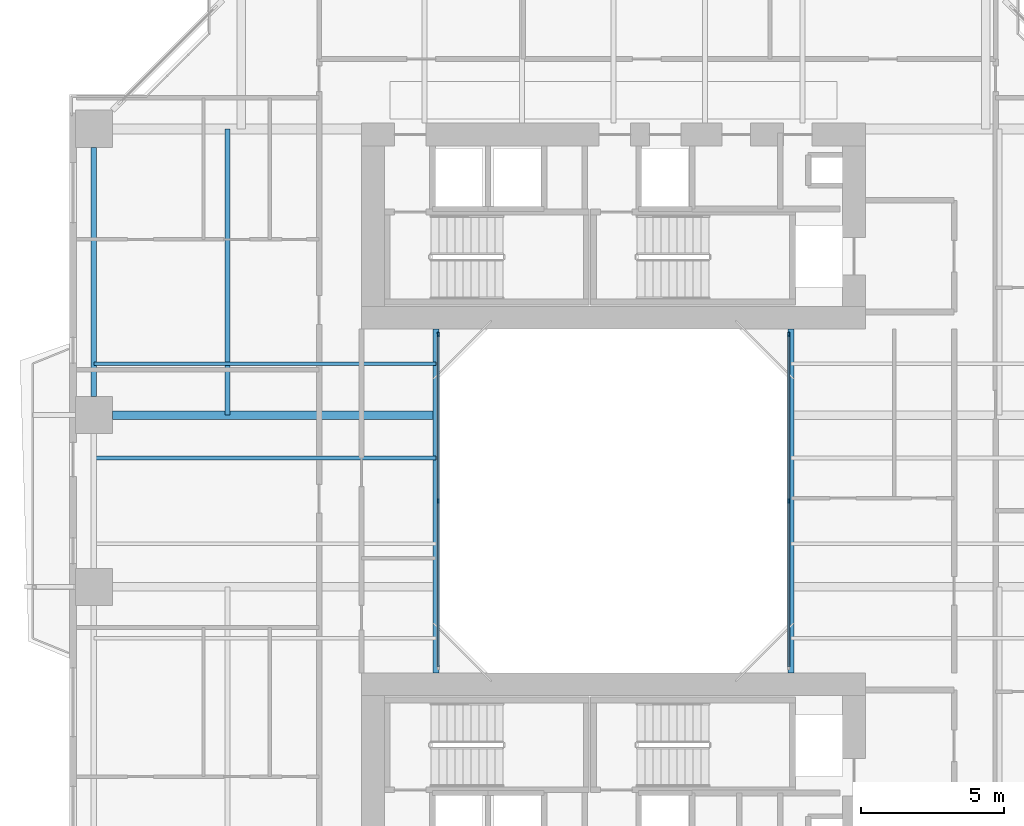
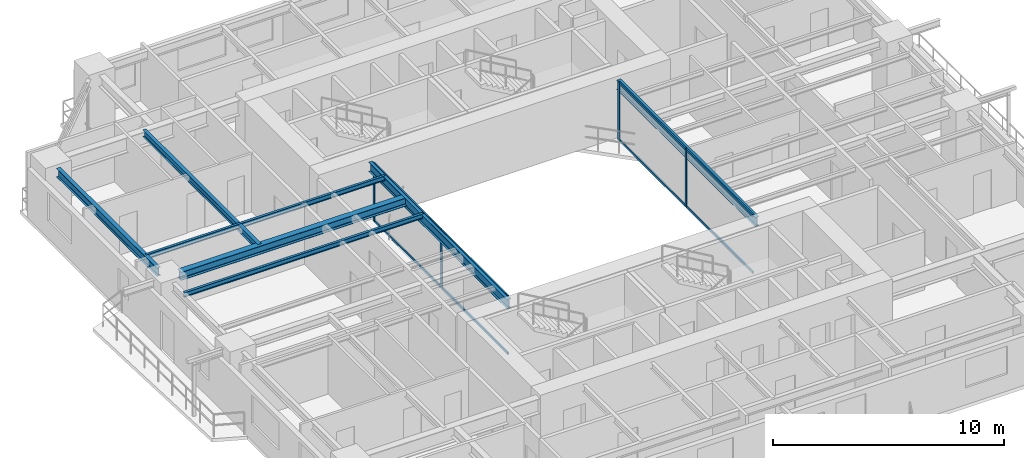
# One storey, part 4 of 23: 12 members, 7 beams, 2 elements without a shape of their own.
"""IFC4 building model written with IfcOpenShell, lengths in metres."""

import ifcopenshell
import ifcopenshell.guid

model = None  # the IFC model being written
_history = None  # IfcOwnerHistory: only IFC2X3 demands one
_inside = {}  # id of a spatial element -> (the spatial element, [elements in it])
_under = {}  # id of a project, library or spatial element -> (it, [spatial elements below it])
_declared = {}  # id of a project -> (the project, [libraries it declares])
_typed = {}  # id of a type object -> (the type object, [elements of that type])
_made_of = {}  # id of a material, layer set ... -> (it, [elements and type objects made of it])


def new_model(schema):
    """Start an empty IFC model of exactly this schema.

    Asked for "IFC4X3", IfcOpenShell would pick the latest addendum, in which some entities
    have other attributes; the version numbers below select the first issue.
    IFC2X3 requires an IfcOwnerHistory on every rooted entity: one is made here for all.
    """
    global model, _history
    if schema == "IFC4X3":
        model = ifcopenshell.file(schema_version=(4, 3, 0, 0))
    else:
        model = ifcopenshell.file(schema=schema)
    _inside.clear()
    _under.clear()
    _declared.clear()
    _typed.clear()
    _made_of.clear()
    _history = None
    if model.schema == "IFC2X3":
        org = make("IfcOrganization", Name="unknown")
        user = make(
            "IfcPersonAndOrganization",
            ThePerson=make("IfcPerson", FamilyName="unknown"),
            TheOrganization=org,
        )
        app = make(
            "IfcApplication",
            ApplicationDeveloper=org,
            Version="unknown",
            ApplicationFullName="unknown",
            ApplicationIdentifier="unknown",
        )
        _history = make(
            "IfcOwnerHistory",
            OwningUser=user,
            OwningApplication=app,
            ChangeAction="ADDED",
            CreationDate=0,
        )
    return model


def make(cls, **values):
    """One entity of the class cls with the attributes given. An attribute that is None is left unset."""
    return model.create_entity(
        cls, **{name: value for name, value in values.items() if value is not None}
    )


def rooted(cls, **values):
    """An entity with a GlobalId (a new one), such as an element, a storey or a relation."""
    return make(cls, GlobalId=ifcopenshell.guid.new(), OwnerHistory=_history, **values)


def si_unit(unit_type, name, prefix=None):
    """IfcSIUnit, for example si_unit("LENGTHUNIT", "METRE", prefix="MILLI")."""
    return make("IfcSIUnit", UnitType=unit_type, Prefix=prefix, Name=name)


def assignment(units):
    """IfcUnitAssignment: the units of a project."""
    return None if units is None else make("IfcUnitAssignment", Units=units)


def point(xyz):
    """IfcCartesianPoint."""
    return None if xyz is None else make("IfcCartesianPoint", Coordinates=xyz)


def direction(xyz):
    """IfcDirection."""
    return None if xyz is None else make("IfcDirection", DirectionRatios=xyz)


def frame(location, z_axis=None, x_axis=None):
    """IfcAxis2Placement3D, a coordinate frame: its origin and axes. An axis left out is left unset."""
    return make(
        "IfcAxis2Placement3D",
        Location=point(location),
        Axis=direction(z_axis),
        RefDirection=direction(x_axis),
    )


def frame_2d(location, x_axis=None):
    """IfcAxis2Placement2D, a coordinate frame in the plane: its origin and x axis."""
    return make(
        "IfcAxis2Placement2D", Location=point(location), RefDirection=direction(x_axis)
    )


def origin():
    """The frame at (0, 0, 0) with its axes left unset."""
    return frame((0.0, 0.0, 0.0))


def origin_2d():
    """The frame at (0, 0) in the plane with its x axis left unset."""
    return frame_2d((0.0, 0.0))


def place(relative_to, where):
    """IfcLocalPlacement: puts the frame where relative to a parent placement (None: the world)."""
    return make(
        "IfcLocalPlacement", PlacementRelTo=relative_to, RelativePlacement=where
    )


def context(
    kind, dimensions, precision=None, world=None, true_north=None, identifier=None
):
    """IfcGeometricRepresentationContext, for example the 3D "Model" context."""
    return make(
        "IfcGeometricRepresentationContext",
        ContextIdentifier=identifier,
        ContextType=kind,
        CoordinateSpaceDimension=dimensions,
        Precision=precision,
        WorldCoordinateSystem=world,
        TrueNorth=true_north,
    )


def subcontext(parent, identifier, kind, view, scale=None):
    """IfcGeometricRepresentationSubContext, for example "Body" below "Model"."""
    return make(
        "IfcGeometricRepresentationSubContext",
        ContextIdentifier=identifier,
        ContextType=kind,
        ParentContext=parent,
        TargetScale=scale,
        TargetView=view,
    )


def project(units=None, contexts=None):
    """IfcProject with its units and contexts."""
    return rooted(
        "IfcProject",
        Name="project",
        RepresentationContexts=contexts,
        UnitsInContext=assignment(units),
    )


def spatial(cls, under=None, at=None, **own):
    """A site, building, storey or space (cls), placed at a placement, below another one or the project."""
    s = rooted(cls, ObjectPlacement=at, **own)
    if under is not None:
        _under.setdefault(under.id(), (under, []))[1].append(s)
    return s


def profile(cls, at=None, kind="AREA", **sizes):
    """A parametric profile (cls). Its sizes go by their IFC names, for example OverallWidth=200.0."""
    return make(cls, ProfileType=kind, Position=at, **sizes)


def rectangle(**sizes):
    """IfcRectangleProfileDef."""
    return profile("IfcRectangleProfileDef", **sizes)


def i_section(**sizes):
    """IfcIShapeProfileDef."""
    return profile("IfcIShapeProfileDef", **sizes)


def extrude(swept, where, along, depth):
    """IfcExtrudedAreaSolid: the profile swept, set in the frame where, extruded along a direction by depth."""
    return make(
        "IfcExtrudedAreaSolid",
        SweptArea=swept,
        Position=where,
        ExtrudedDirection=direction(along),
        Depth=depth,
    )


def shape(context_of_items, identifier, shape_type, items):
    """IfcShapeRepresentation: the items that make up one representation, for example the "Body"."""
    return make(
        "IfcShapeRepresentation",
        ContextOfItems=context_of_items,
        RepresentationIdentifier=identifier,
        RepresentationType=shape_type,
        Items=items,
    )


def source(mapping_origin, context_of_items, identifier, shape_type, items):
    """IfcRepresentationMap: a shape defined once, which mapped items show again and again."""
    return make(
        "IfcRepresentationMap",
        MappingOrigin=mapping_origin,
        MappedRepresentation=shape(context_of_items, identifier, shape_type, items),
    )


def transform(
    local_origin,
    x_axis=None,
    y_axis=None,
    z_axis=None,
    scale=None,
    scale2=None,
    scale3=None,
    uniform=True,
):
    """IfcCartesianTransformationOperator3D, or its non-uniform kind. x_axis, y_axis, z_axis: its Axis1, 2, 3."""
    if uniform:
        return make(
            "IfcCartesianTransformationOperator3D",
            Axis1=direction(x_axis),
            Axis2=direction(y_axis),
            LocalOrigin=point(local_origin),
            Scale=scale,
            Axis3=direction(z_axis),
        )
    return make(
        "IfcCartesianTransformationOperator3DnonUniform",
        Axis1=direction(x_axis),
        Axis2=direction(y_axis),
        LocalOrigin=point(local_origin),
        Scale=scale,
        Axis3=direction(z_axis),
        Scale2=scale2,
        Scale3=scale3,
    )


def mapped(mapping_source, mapping_target):
    """IfcMappedItem: shows the shape of a source again, moved by a transform."""
    return make(
        "IfcMappedItem", MappingSource=mapping_source, MappingTarget=mapping_target
    )


def material(Name=None, Category=None):
    """IfcMaterial."""
    return make("IfcMaterial", Name=Name, Category=Category)


def layer(
    of_material, thickness, ventilated=None, Name=None, Category=None, Priority=None
):
    """IfcMaterialLayer: one layer of a wall or slab, of a material (None: an air gap)."""
    return make(
        "IfcMaterialLayer",
        Material=of_material,
        LayerThickness=thickness,
        IsVentilated=ventilated,
        Name=Name,
        Category=Category,
        Priority=Priority,
    )


def layer_set(layers, Name=None):
    """IfcMaterialLayerSet."""
    return make("IfcMaterialLayerSet", MaterialLayers=layers, LayerSetName=Name)


def material_profile(
    of_material, cross_section, Name=None, Category=None, Priority=None
):
    """IfcMaterialProfile: a cross section and its material."""
    return make(
        "IfcMaterialProfile",
        Name=Name,
        Material=of_material,
        Profile=cross_section,
        Priority=Priority,
        Category=Category,
    )


def profile_set(profiles, Name=None, composite=None):
    """IfcMaterialProfileSet."""
    return make(
        "IfcMaterialProfileSet",
        Name=Name,
        MaterialProfiles=profiles,
        CompositeProfile=composite,
    )


def made_of(thing, what):
    """Note that an element or type object is made of a material, layer set ...; save() writes the relation."""
    if what is not None:
        _made_of.setdefault(what.id(), (what, []))[1].append(thing)
    return thing


def type_object(cls, material=None, **own):
    """A type object (cls), such as IfcWallType, which elements share."""
    return made_of(rooted(cls, **own), material)


def element(
    cls,
    number,
    at=None,
    inside=None,
    cuts=None,
    type_object=None,
    material=None,
    context=None,
    identifier="Body",
    shape_type=None,
    held_by="IfcProductDefinitionShape",
    body=None,
    shapes=None,
    **own,
):
    """One element of the class cls, such as IfcWall. Its Tag is "e" and its number.

    at: its placement. inside: the storey or other place that contains it. cuts: it is an
    opening in that element (IfcRelVoidsElement). A single representation is given by context,
    identifier, shape_type and body (its items); several are given by shapes. held_by: the class
    of the entity that holds the representations. save() writes the other relations.
    """
    e = rooted(cls, Tag="e%d" % number, ObjectPlacement=at, **own)
    if body is not None:
        shapes = [shape(context, identifier, shape_type, body)]
    if shapes is not None:
        e.Representation = make(held_by, Representations=shapes)
    if inside is not None:
        _inside.setdefault(inside.id(), (inside, []))[1].append(e)
    if cuts is not None:
        rooted(
            "IfcRelVoidsElement", RelatingBuildingElement=cuts, RelatedOpeningElement=e
        )
    if type_object is not None:
        _typed.setdefault(type_object.id(), (type_object, []))[1].append(e)
    return made_of(e, material)


def aggregate(whole, parts):
    """IfcRelAggregates: a whole, such as a stair, and the parts it consists of."""
    return rooted("IfcRelAggregates", RelatingObject=whole, RelatedObjects=parts)


def save(model, path):
    """Write the relations noted so far, then the file.

    IfcRelAggregates (storeys below a building ...), IfcRelContainedInSpatialStructure (elements
    in a storey), IfcRelDefinesByType, IfcRelAssociatesMaterial and IfcRelDeclares: one each for
    every whole, place, type object, material and project.
    """
    for whole, parts in _under.values():
        aggregate(whole, parts)
    for where, things in _inside.values():
        rooted(
            "IfcRelContainedInSpatialStructure",
            RelatedElements=things,
            RelatingStructure=where,
        )
    for kind, things in _typed.values():
        rooted("IfcRelDefinesByType", RelatedObjects=things, RelatingType=kind)
    for what, things in _made_of.values():
        rooted("IfcRelAssociatesMaterial", RelatedObjects=things, RelatingMaterial=what)
    for by, libraries in _declared.values():
        rooted("IfcRelDeclares", RelatingContext=by, RelatedDefinitions=libraries)
    model.write(path)


model = new_model("IFC4")

# Units and contexts
model_context = context("Model", 3, precision=1e-05, world=origin(), true_north=direction((0.0, 1.0)))
body_context = subcontext(model_context, "Body", "Model", "MODEL_VIEW")
ifc_project = project(units=[si_unit("LENGTHUNIT", "METRE"), si_unit("AREAUNIT", "SQUARE_METRE"), si_unit("VOLUMEUNIT", "CUBIC_METRE"), si_unit("PLANEANGLEUNIT", "RADIAN"), si_unit("MASSUNIT", "GRAM", prefix="KILO"), si_unit("THERMODYNAMICTEMPERATUREUNIT", "KELVIN"), si_unit("POWERUNIT", "WATT")], contexts=[model_context])

# Site, building, storey
site_placement = place(None, origin())
site = spatial("IfcSite", under=ifc_project, at=site_placement, CompositionType="ELEMENT")
building_placement = place(site_placement, origin())
building = spatial("IfcBuilding", under=site, at=building_placement, Name="Qiaomeng Ring Towers", CompositionType="ELEMENT")
storey_placement = place(building_placement, frame((0.0, 0.0, 86.0)))
storey = spatial("IfcBuildingStorey", under=building, at=storey_placement, Name="L24", CompositionType="ELEMENT", Elevation=86.0)

# Beams
ifc_material_1 = material(Name="Steel Q355B", Category="steel")
ifc_material_profile_1 = material_profile(ifc_material_1, i_section(OverallWidth=0.199951171875, OverallDepth=0.5, WebThickness=0.010009765625, FlangeThickness=0.01611328125, FilletRadius=0.02001953125, at=origin_2d()), Name="HN 500x200x10x16")
ifc_profile_set_1 = profile_set([ifc_material_profile_1], Name="Steel Q355B")
beam_type_1 = type_object("IfcBeamType", Name="STR-BM-HN500", PredefinedType="BEAM", material=ifc_profile_set_1)
shared_shape_1 = source(origin(), body_context, "Body", "SweptSolid", [
    extrude(i_section(OverallWidth=0.199951171875, OverallDepth=0.5, WebThickness=0.010009765625, FlangeThickness=0.01611328125, FilletRadius=0.02001953125, at=origin_2d()), origin(), (0.0, 0.0, 1.0), 12.0),
])
for number, where, z_axis, x_axis, name in (
    (1, (12.800048828125, 17.0, 2.820068359375), (0.0, 1.0, 0.0), (-1.0, 0.0, 0.0), "L24 beam STR-BM-L24-WELL-W"),
    (2, (25.199951171875, 17.0, 2.820068359375), (0.0, 1.0, 0.0), (-1.0, 0.0, 0.0), "L24 beam STR-BM-L24-WELL-E"),
):
    element("IfcBeam", number, at=place(storey_placement, frame(where, z_axis=z_axis, x_axis=x_axis)), inside=storey, type_object=beam_type_1, Name=name, PredefinedType="BEAM", context=body_context, shape_type="MappedRepresentation", body=[
        mapped(shared_shape_1, transform((0.0, 0.0, 0.0), x_axis=(1.0, 0.0, 0.0), y_axis=(0.0, 1.0, 0.0), z_axis=(0.0, 0.0, 1.0), scale=1.0)),
    ])
ifc_material_profile_2 = material_profile(ifc_material_1, i_section(OverallWidth=0.199951171875, OverallDepth=0.449951171875, WebThickness=0.009033203125, FlangeThickness=0.013916015625, FilletRadius=0.01806640625, at=origin_2d()), Name="HN 450x200x9x14")
ifc_profile_set_2 = profile_set([ifc_material_profile_2], Name="Steel Q355B")
beam_type_2 = type_object("IfcBeamType", Name="STR-BM-HN450", PredefinedType="SPANDREL", material=ifc_profile_set_2)
shared_shape_2 = source(origin(), body_context, "Body", "SweptSolid", [
    extrude(i_section(OverallWidth=0.199951171875, OverallDepth=0.449951171875, WebThickness=0.009033203125, FlangeThickness=0.013916015625, FilletRadius=0.01806640625, at=origin_2d()), origin(), (0.0, 0.0, 1.0), 8.7021484375),
])
beam_1_placement = place(storey_placement, frame((0.85009765625, 35.35107421875, 2.844970703125), z_axis=(0.0, -1.0, 0.0), x_axis=(1.0, 0.0, 0.0)))
element("IfcBeam", 3, at=beam_1_placement, inside=storey, type_object=beam_type_2, Name="L24 beam STR-SP-L24-T1-W4-W3", PredefinedType="SPANDREL", context=body_context, shape_type="MappedRepresentation", body=[
    mapped(shared_shape_2, transform((0.0, 0.0, 0.0), x_axis=(1.0, 0.0, 0.0), y_axis=(0.0, 1.0, 0.0), z_axis=(0.0, 0.0, 1.0), scale=1.0)),
])
ifc_material_profile_3 = material_profile(ifc_material_1, i_section(OverallWidth=0.300048828125, OverallDepth=0.43994140625, WebThickness=0.010986328125, FlangeThickness=0.01806640625, FilletRadius=0.02392578125, at=origin_2d()), Name="HM 440x300x11x18")
ifc_profile_set_3 = profile_set([ifc_material_profile_3], Name="Steel Q355B")
beam_type_3 = type_object("IfcBeamType", Name="STR-BM-HM440", PredefinedType="BEAM", material=ifc_profile_set_3)
shared_shape_3 = source(origin(), body_context, "Body", "SweptSolid", [
    extrude(i_section(OverallWidth=0.300048828125, OverallDepth=0.43994140625, WebThickness=0.010986328125, FlangeThickness=0.01806640625, FilletRadius=0.02392578125, at=origin_2d()), origin(), (0.0, 0.0, 1.0), 11.301025390625),
])
beam_2_placement = place(storey_placement, frame((1.4990234375, 26.0, 2.85009765625), z_axis=(1.0, 0.0, 0.0), x_axis=(0.0, 1.0, 0.0)))
element("IfcBeam", 4, at=beam_2_placement, inside=storey, type_object=beam_type_3, Name="L24 beam STR-BM-L24-T1-RAD-W3", PredefinedType="BEAM", context=body_context, shape_type="MappedRepresentation", body=[
    mapped(shared_shape_3, transform((0.0, 0.0, 0.0), x_axis=(1.0, 0.0, 0.0), y_axis=(0.0, 1.0, 0.0), z_axis=(0.0, 0.0, 1.0), scale=1.0)),
])
ifc_material_profile_4 = material_profile(ifc_material_1, i_section(OverallWidth=0.125, OverallDepth=0.25, WebThickness=0.006103515625, FlangeThickness=0.009033203125, FilletRadius=0.011962890625, at=origin_2d()), Name="HN 250x125x6x9")
ifc_profile_set_4 = profile_set([ifc_material_profile_4], Name="Steel Q355B")
beam_type_4 = type_object("IfcBeamType", Name="STR-BM-HN250", PredefinedType="JOIST", material=ifc_profile_set_4)
shared_shape_4 = source(origin(), body_context, "Body", "SweptSolid", [
    extrude(i_section(OverallWidth=0.125, OverallDepth=0.25, WebThickness=0.006103515625, FlangeThickness=0.009033203125, FilletRadius=0.011962890625, at=origin_2d()), origin(), (0.0, 0.0, 1.0), 11.949951171875),
])
for number, where, z_axis, x_axis, name in (
    (5, (0.85009765625, 24.5, 2.945068359375), (1.0, 0.0, 0.0), (0.0, 1.0, 0.0), "L24 beam STR-JST-L24-T1W-3"),
    (6, (0.85009765625, 27.800048828125, 2.945068359375), (1.0, 0.0, 0.0), (0.0, 1.0, 0.0), "L24 beam STR-JST-L24-T1W-4"),
):
    element("IfcBeam", number, at=place(storey_placement, frame(where, z_axis=z_axis, x_axis=x_axis)), inside=storey, type_object=beam_type_4, Name=name, PredefinedType="JOIST", context=body_context, shape_type="MappedRepresentation", body=[
        mapped(shared_shape_4, transform((0.0, 0.0, 0.0), x_axis=(1.0, 0.0, 0.0), y_axis=(0.0, 1.0, 0.0), z_axis=(0.0, 0.0, 1.0), scale=1.0)),
    ])
ifc_material_profile_5 = material_profile(ifc_material_1, i_section(OverallWidth=0.175048828125, OverallDepth=0.35009765625, WebThickness=0.007080078125, FlangeThickness=0.010986328125, FilletRadius=0.013916015625, at=origin_2d()), Name="HN 350x175x7x11")
ifc_profile_set_5 = profile_set([ifc_material_profile_5], Name="Steel Q355B")
beam_type_5 = type_object("IfcBeamType", Name="STR-BM-HN350", PredefinedType="JOIST", material=ifc_profile_set_5)
shared_shape_5 = source(origin(), body_context, "Body", "SweptSolid", [
    extrude(i_section(OverallWidth=0.175048828125, OverallDepth=0.35009765625, WebThickness=0.007080078125, FlangeThickness=0.010986328125, FilletRadius=0.013916015625, at=origin_2d()), origin(), (0.0, 0.0, 1.0), 10.0),
])
beam_3_placement = place(storey_placement, frame((5.52490234375, 26.0, 2.89501953125), z_axis=(0.0, 1.0, 0.0), x_axis=(-1.0, 0.0, 0.0)))
element("IfcBeam", 7, at=beam_3_placement, inside=storey, type_object=beam_type_5, Name="L24 beam STR-JST-L24-T1C-WN", PredefinedType="JOIST", context=body_context, shape_type="MappedRepresentation", body=[
    mapped(shared_shape_5, transform((0.0, 0.0, 0.0), x_axis=(1.0, 0.0, 0.0), y_axis=(0.0, 1.0, 0.0), z_axis=(0.0, 0.0, 1.0), scale=1.0)),
])

# Curtain wall, members
ifc_material_2 = material(Name="Fluorocarbon dark-grey aluminium", Category="aluminium")
ifc_layer = layer(ifc_material_2, 0.139892578125, Name="Fluorocarbon dark-grey aluminium")
ifc_layer_set = layer_set([ifc_layer], Name="Fluorocarbon dark-grey aluminium")
curtain_wall_type = type_object("IfcCurtainWallType", Name="ARC-CW-4", PredefinedType="NOTDEFINED", material=ifc_layer_set)
curtain_wall_1_placement = place(storey_placement, origin())
curtain_wall_1 = element("IfcCurtainWall", 8, at=curtain_wall_1_placement, inside=storey, type_object=curtain_wall_type, Name="L24 Curtain Wall CW4", PredefinedType="NOTDEFINED")
ifc_material_profile_6 = material_profile(ifc_material_2, rectangle(XDim=0.06494140625, YDim=0.159912109375, at=origin_2d()), Name="ALU MULL 65x160")
ifc_profile_set_6 = profile_set([ifc_material_profile_6], Name="Fluorocarbon dark-grey aluminium")
member_type_1 = type_object("IfcMemberType", Name="ARC-CWM-140", PredefinedType="MULLION", material=ifc_profile_set_6)
shared_shape_6 = source(origin(), body_context, "Body", "SweptSolid", [
    extrude(rectangle(XDim=0.06494140625, YDim=0.159912109375, at=origin_2d()), origin(), (0.0, 0.0, 1.0), 3.070068359375),
])
member_1_placement = place(storey_placement, frame((12.8798828125, 23.0, 0.0), z_axis=(0.0, 0.0, 1.0), x_axis=(-1.0, 0.0, 0.0)))
member_1 = element("IfcMember", 9, at=member_1_placement, type_object=member_type_1, Name="CW4 mullion 2", PredefinedType="MULLION", context=body_context, shape_type="MappedRepresentation", body=[
    mapped(shared_shape_6, transform((0.0, 0.0, 0.0), x_axis=(1.0, 0.0, 0.0), y_axis=(0.0, 1.0, 0.0), z_axis=(0.0, 0.0, 1.0), scale=1.0)),
])
member_2_placement = place(storey_placement, frame((12.8798828125, 28.8173828125, 0.0), z_axis=(0.0, 0.0, 1.0), x_axis=(-1.0, 0.0, 0.0)))
member_2 = element("IfcMember", 10, at=member_2_placement, type_object=member_type_1, Name="CW4 mullion 3", PredefinedType="MULLION", context=body_context, shape_type="MappedRepresentation", body=[
    mapped(shared_shape_6, transform((0.0, 0.0, 0.0), x_axis=(1.0, 0.0, 0.0), y_axis=(0.0, 1.0, 0.0), z_axis=(0.0, 0.0, 1.0), scale=1.0)),
])

curtain_wall_2_placement = place(storey_placement, origin())
curtain_wall_2 = element("IfcCurtainWall", 11, at=curtain_wall_2_placement, inside=storey, type_object=curtain_wall_type, Name="L24 Curtain Wall CW4", PredefinedType="NOTDEFINED")
member_3_placement = place(storey_placement, frame((25.1201171875, 23.0, 0.0), z_axis=(0.0, 0.0, 1.0), x_axis=(-1.0, 0.0, 0.0)))
member_3 = element("IfcMember", 12, at=member_3_placement, type_object=member_type_1, Name="CW4 mullion 2", PredefinedType="MULLION", context=body_context, shape_type="MappedRepresentation", body=[
    mapped(shared_shape_6, transform((0.0, 0.0, 0.0), x_axis=(1.0, 0.0, 0.0), y_axis=(0.0, 1.0, 0.0), z_axis=(0.0, 0.0, 1.0), scale=1.0)),
])
member_4_placement = place(storey_placement, frame((25.1201171875, 28.8173828125, 0.0), z_axis=(0.0, 0.0, 1.0), x_axis=(-1.0, 0.0, 0.0)))
member_4 = element("IfcMember", 13, at=member_4_placement, type_object=member_type_1, Name="CW4 mullion 3", PredefinedType="MULLION", context=body_context, shape_type="MappedRepresentation", body=[
    mapped(shared_shape_6, transform((0.0, 0.0, 0.0), x_axis=(1.0, 0.0, 0.0), y_axis=(0.0, 1.0, 0.0), z_axis=(0.0, 0.0, 1.0), scale=1.0)),
])

# Member
ifc_material_profile_7 = material_profile(ifc_material_2, rectangle(XDim=0.06494140625, YDim=0.1298828125, at=origin_2d()), Name="ALU TRAN 65x130")
ifc_profile_set_7 = profile_set([ifc_material_profile_7], Name="Fluorocarbon dark-grey aluminium")
member_type_2 = type_object("IfcMemberType", Name="ARC-CWT-120", PredefinedType="USERDEFINED", material=ifc_profile_set_7)
shared_shape_7 = source(origin(), body_context, "Body", "SweptSolid", [
    extrude(rectangle(XDim=0.06494140625, YDim=0.1298828125, at=origin_2d()), origin(), (0.0, 0.0, 1.0), 5.75244140625),
])
member_5_placement = place(storey_placement, frame((12.8798828125, 17.215087890625, 0.032470703125), z_axis=(0.0, 1.0, 0.0), x_axis=(-1.0, 0.0, 0.0)))
member_5 = element("IfcMember", 14, at=member_5_placement, type_object=member_type_2, Name="CW4 transom 1.1", ObjectType="TRANSOM", PredefinedType="USERDEFINED", context=body_context, shape_type="MappedRepresentation", body=[
    mapped(shared_shape_7, transform((0.0, 0.0, 0.0), x_axis=(1.0, 0.0, 0.0), y_axis=(0.0, 1.0, 0.0), z_axis=(0.0, 0.0, 1.0), scale=1.0)),
])

member_6_placement = place(storey_placement, frame((12.8798828125, 17.215087890625, 3.03759765625), z_axis=(0.0, 1.0, 0.0), x_axis=(-1.0, 0.0, 0.0)))
member_6 = element("IfcMember", 15, at=member_6_placement, type_object=member_type_2, Name="CW4 transom 1.2", ObjectType="TRANSOM", PredefinedType="USERDEFINED", context=body_context, shape_type="MappedRepresentation", body=[
    mapped(shared_shape_7, transform((0.0, 0.0, 0.0), x_axis=(1.0, 0.0, 0.0), y_axis=(0.0, 1.0, 0.0), z_axis=(0.0, 0.0, 1.0), scale=1.0)),
])

member_7_placement = place(storey_placement, frame((12.8798828125, 23.032470703125, 0.032470703125), z_axis=(0.0, 1.0, 0.0), x_axis=(-1.0, 0.0, 0.0)))
member_7 = element("IfcMember", 16, at=member_7_placement, type_object=member_type_2, Name="CW4 transom 2.1", ObjectType="TRANSOM", PredefinedType="USERDEFINED", context=body_context, shape_type="MappedRepresentation", body=[
    mapped(shared_shape_7, transform((0.0, 0.0, 0.0), x_axis=(1.0, 0.0, 0.0), y_axis=(0.0, 1.0, 0.0), z_axis=(0.0, 0.0, 1.0), scale=1.0)),
])

member_8_placement = place(storey_placement, frame((12.8798828125, 23.032470703125, 3.03759765625), z_axis=(0.0, 1.0, 0.0), x_axis=(-1.0, 0.0, 0.0)))
member_8 = element("IfcMember", 17, at=member_8_placement, type_object=member_type_2, Name="CW4 transom 2.2", ObjectType="TRANSOM", PredefinedType="USERDEFINED", context=body_context, shape_type="MappedRepresentation", body=[
    mapped(shared_shape_7, transform((0.0, 0.0, 0.0), x_axis=(1.0, 0.0, 0.0), y_axis=(0.0, 1.0, 0.0), z_axis=(0.0, 0.0, 1.0), scale=1.0)),
])

aggregate(curtain_wall_1, [member_1, member_2, member_5, member_6, member_7, member_8])

member_9_placement = place(storey_placement, frame((25.1201171875, 17.215087890625, 0.032470703125), z_axis=(0.0, 1.0, 0.0), x_axis=(-1.0, 0.0, 0.0)))
member_9 = element("IfcMember", 18, at=member_9_placement, type_object=member_type_2, Name="CW4 transom 1.1", ObjectType="TRANSOM", PredefinedType="USERDEFINED", context=body_context, shape_type="MappedRepresentation", body=[
    mapped(shared_shape_7, transform((0.0, 0.0, 0.0), x_axis=(1.0, 0.0, 0.0), y_axis=(0.0, 1.0, 0.0), z_axis=(0.0, 0.0, 1.0), scale=1.0)),
])

member_10_placement = place(storey_placement, frame((25.1201171875, 17.215087890625, 3.03759765625), z_axis=(0.0, 1.0, 0.0), x_axis=(-1.0, 0.0, 0.0)))
member_10 = element("IfcMember", 19, at=member_10_placement, type_object=member_type_2, Name="CW4 transom 1.2", ObjectType="TRANSOM", PredefinedType="USERDEFINED", context=body_context, shape_type="MappedRepresentation", body=[
    mapped(shared_shape_7, transform((0.0, 0.0, 0.0), x_axis=(1.0, 0.0, 0.0), y_axis=(0.0, 1.0, 0.0), z_axis=(0.0, 0.0, 1.0), scale=1.0)),
])

member_11_placement = place(storey_placement, frame((25.1201171875, 23.032470703125, 0.032470703125), z_axis=(0.0, 1.0, 0.0), x_axis=(-1.0, 0.0, 0.0)))
member_11 = element("IfcMember", 20, at=member_11_placement, type_object=member_type_2, Name="CW4 transom 2.1", ObjectType="TRANSOM", PredefinedType="USERDEFINED", context=body_context, shape_type="MappedRepresentation", body=[
    mapped(shared_shape_7, transform((0.0, 0.0, 0.0), x_axis=(1.0, 0.0, 0.0), y_axis=(0.0, 1.0, 0.0), z_axis=(0.0, 0.0, 1.0), scale=1.0)),
])

member_12_placement = place(storey_placement, frame((25.1201171875, 23.032470703125, 3.03759765625), z_axis=(0.0, 1.0, 0.0), x_axis=(-1.0, 0.0, 0.0)))
member_12 = element("IfcMember", 21, at=member_12_placement, type_object=member_type_2, Name="CW4 transom 2.2", ObjectType="TRANSOM", PredefinedType="USERDEFINED", context=body_context, shape_type="MappedRepresentation", body=[
    mapped(shared_shape_7, transform((0.0, 0.0, 0.0), x_axis=(1.0, 0.0, 0.0), y_axis=(0.0, 1.0, 0.0), z_axis=(0.0, 0.0, 1.0), scale=1.0)),
])

aggregate(curtain_wall_2, [member_3, member_4, member_9, member_10, member_11, member_12])

save(model, "model.ifc")
